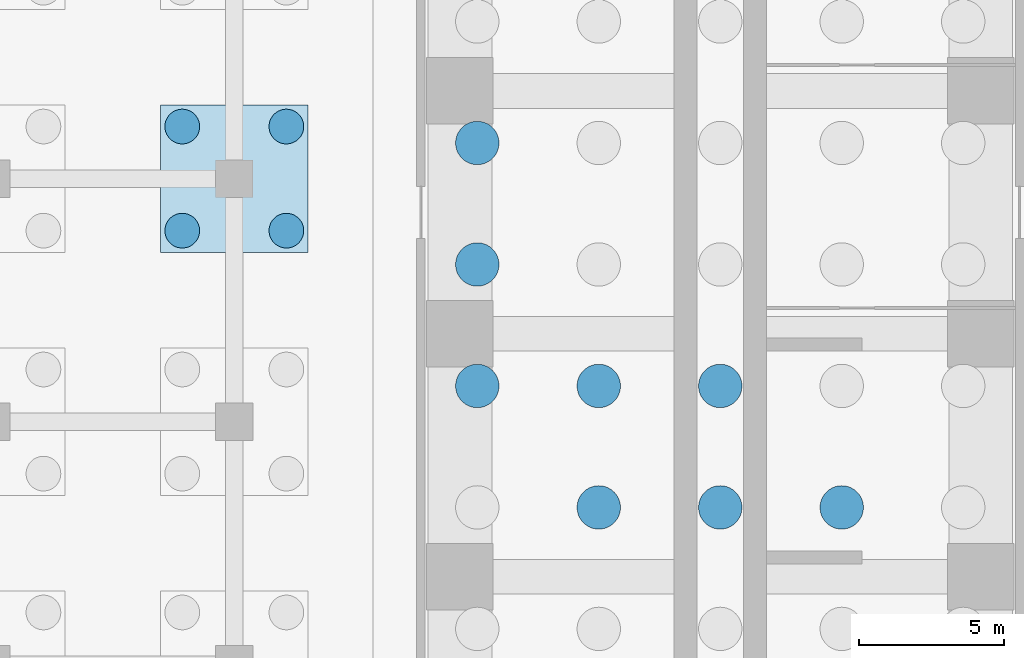
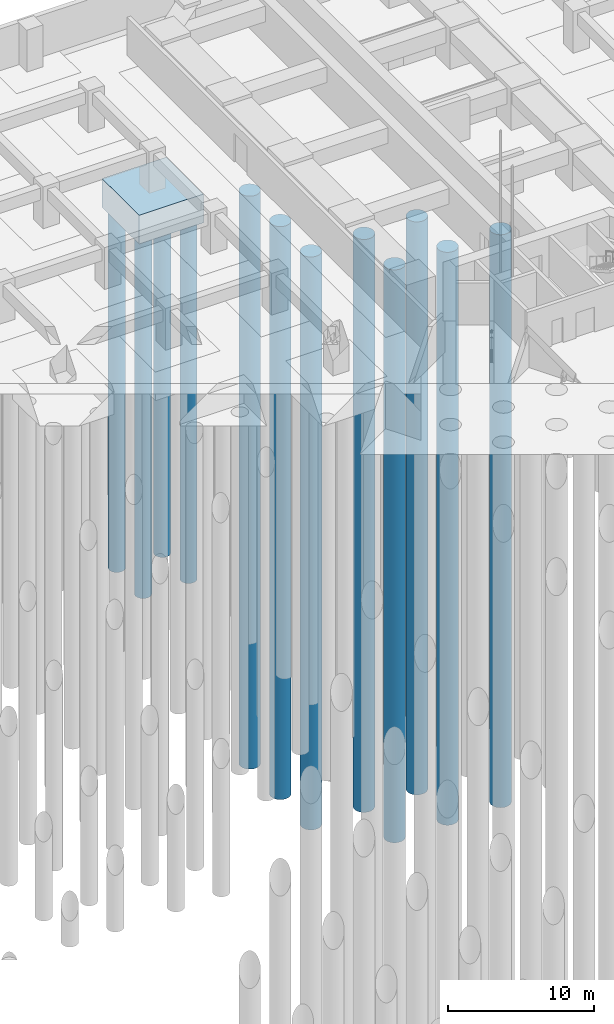
# One storey, part 37 of 73: 12 piles, 1 footing.
"""IFC4 building model written with IfcOpenShell, lengths in metres."""

import ifcopenshell
import ifcopenshell.guid

model = None  # the IFC model being written
_history = None  # IfcOwnerHistory: only IFC2X3 demands one
_inside = {}  # id of a spatial element -> (the spatial element, [elements in it])
_under = {}  # id of a project, library or spatial element -> (it, [spatial elements below it])
_declared = {}  # id of a project -> (the project, [libraries it declares])
_typed = {}  # id of a type object -> (the type object, [elements of that type])
_made_of = {}  # id of a material, layer set ... -> (it, [elements and type objects made of it])


def new_model(schema):
    """Start an empty IFC model of exactly this schema.

    Asked for "IFC4X3", IfcOpenShell would pick the latest addendum, in which some entities
    have other attributes; the version numbers below select the first issue.
    IFC2X3 requires an IfcOwnerHistory on every rooted entity: one is made here for all.
    """
    global model, _history
    if schema == "IFC4X3":
        model = ifcopenshell.file(schema_version=(4, 3, 0, 0))
    else:
        model = ifcopenshell.file(schema=schema)
    _inside.clear()
    _under.clear()
    _declared.clear()
    _typed.clear()
    _made_of.clear()
    _history = None
    if model.schema == "IFC2X3":
        org = make("IfcOrganization", Name="unknown")
        user = make(
            "IfcPersonAndOrganization",
            ThePerson=make("IfcPerson", FamilyName="unknown"),
            TheOrganization=org,
        )
        app = make(
            "IfcApplication",
            ApplicationDeveloper=org,
            Version="unknown",
            ApplicationFullName="unknown",
            ApplicationIdentifier="unknown",
        )
        _history = make(
            "IfcOwnerHistory",
            OwningUser=user,
            OwningApplication=app,
            ChangeAction="ADDED",
            CreationDate=0,
        )
    return model


def make(cls, **values):
    """One entity of the class cls with the attributes given. An attribute that is None is left unset."""
    return model.create_entity(
        cls, **{name: value for name, value in values.items() if value is not None}
    )


def rooted(cls, **values):
    """An entity with a GlobalId (a new one), such as an element, a storey or a relation."""
    return make(cls, GlobalId=ifcopenshell.guid.new(), OwnerHistory=_history, **values)


def si_unit(unit_type, name, prefix=None):
    """IfcSIUnit, for example si_unit("LENGTHUNIT", "METRE", prefix="MILLI")."""
    return make("IfcSIUnit", UnitType=unit_type, Prefix=prefix, Name=name)


def assignment(units):
    """IfcUnitAssignment: the units of a project."""
    return None if units is None else make("IfcUnitAssignment", Units=units)


def point(xyz):
    """IfcCartesianPoint."""
    return None if xyz is None else make("IfcCartesianPoint", Coordinates=xyz)


def direction(xyz):
    """IfcDirection."""
    return None if xyz is None else make("IfcDirection", DirectionRatios=xyz)


def frame(location, z_axis=None, x_axis=None):
    """IfcAxis2Placement3D, a coordinate frame: its origin and axes. An axis left out is left unset."""
    return make(
        "IfcAxis2Placement3D",
        Location=point(location),
        Axis=direction(z_axis),
        RefDirection=direction(x_axis),
    )


def frame_2d(location, x_axis=None):
    """IfcAxis2Placement2D, a coordinate frame in the plane: its origin and x axis."""
    return make(
        "IfcAxis2Placement2D", Location=point(location), RefDirection=direction(x_axis)
    )


def origin():
    """The frame at (0, 0, 0) with its axes left unset."""
    return frame((0.0, 0.0, 0.0))


def origin_2d():
    """The frame at (0, 0) in the plane with its x axis left unset."""
    return frame_2d((0.0, 0.0))


def place(relative_to, where):
    """IfcLocalPlacement: puts the frame where relative to a parent placement (None: the world)."""
    return make(
        "IfcLocalPlacement", PlacementRelTo=relative_to, RelativePlacement=where
    )


def context(
    kind, dimensions, precision=None, world=None, true_north=None, identifier=None
):
    """IfcGeometricRepresentationContext, for example the 3D "Model" context."""
    return make(
        "IfcGeometricRepresentationContext",
        ContextIdentifier=identifier,
        ContextType=kind,
        CoordinateSpaceDimension=dimensions,
        Precision=precision,
        WorldCoordinateSystem=world,
        TrueNorth=true_north,
    )


def subcontext(parent, identifier, kind, view, scale=None):
    """IfcGeometricRepresentationSubContext, for example "Body" below "Model"."""
    return make(
        "IfcGeometricRepresentationSubContext",
        ContextIdentifier=identifier,
        ContextType=kind,
        ParentContext=parent,
        TargetScale=scale,
        TargetView=view,
    )


def project(units=None, contexts=None):
    """IfcProject with its units and contexts."""
    return rooted(
        "IfcProject",
        Name="project",
        RepresentationContexts=contexts,
        UnitsInContext=assignment(units),
    )


def spatial(cls, under=None, at=None, **own):
    """A site, building, storey or space (cls), placed at a placement, below another one or the project."""
    s = rooted(cls, ObjectPlacement=at, **own)
    if under is not None:
        _under.setdefault(under.id(), (under, []))[1].append(s)
    return s


def polyline(points):
    """IfcPolyline through the points."""
    return make("IfcPolyline", Points=[point(p) for p in points])


def profile(cls, at=None, kind="AREA", **sizes):
    """A parametric profile (cls). Its sizes go by their IFC names, for example OverallWidth=200.0."""
    return make(cls, ProfileType=kind, Position=at, **sizes)


def circle(**sizes):
    """IfcCircleProfileDef."""
    return profile("IfcCircleProfileDef", **sizes)


def outline(outer, holes=None, kind="AREA"):
    """IfcArbitraryClosedProfileDef: a profile drawn as a closed curve; with holes, ...WithVoids."""
    if holes is None:
        return make("IfcArbitraryClosedProfileDef", ProfileType=kind, OuterCurve=outer)
    return make(
        "IfcArbitraryProfileDefWithVoids",
        ProfileType=kind,
        OuterCurve=outer,
        InnerCurves=holes,
    )


def extrude(swept, where, along, depth):
    """IfcExtrudedAreaSolid: the profile swept, set in the frame where, extruded along a direction by depth."""
    return make(
        "IfcExtrudedAreaSolid",
        SweptArea=swept,
        Position=where,
        ExtrudedDirection=direction(along),
        Depth=depth,
    )


def shape(context_of_items, identifier, shape_type, items):
    """IfcShapeRepresentation: the items that make up one representation, for example the "Body"."""
    return make(
        "IfcShapeRepresentation",
        ContextOfItems=context_of_items,
        RepresentationIdentifier=identifier,
        RepresentationType=shape_type,
        Items=items,
    )


def material(Name=None, Category=None):
    """IfcMaterial."""
    return make("IfcMaterial", Name=Name, Category=Category)


def material_profile(
    of_material, cross_section, Name=None, Category=None, Priority=None
):
    """IfcMaterialProfile: a cross section and its material."""
    return make(
        "IfcMaterialProfile",
        Name=Name,
        Material=of_material,
        Profile=cross_section,
        Priority=Priority,
        Category=Category,
    )


def profile_set(profiles, Name=None, composite=None):
    """IfcMaterialProfileSet."""
    return make(
        "IfcMaterialProfileSet",
        Name=Name,
        MaterialProfiles=profiles,
        CompositeProfile=composite,
    )


def made_of(thing, what):
    """Note that an element or type object is made of a material, layer set ...; save() writes the relation."""
    if what is not None:
        _made_of.setdefault(what.id(), (what, []))[1].append(thing)
    return thing


def type_object(cls, material=None, **own):
    """A type object (cls), such as IfcWallType, which elements share."""
    return made_of(rooted(cls, **own), material)


def element(
    cls,
    number,
    at=None,
    inside=None,
    cuts=None,
    type_object=None,
    material=None,
    context=None,
    identifier="Body",
    shape_type=None,
    held_by="IfcProductDefinitionShape",
    body=None,
    shapes=None,
    **own,
):
    """One element of the class cls, such as IfcWall. Its Tag is "e" and its number.

    at: its placement. inside: the storey or other place that contains it. cuts: it is an
    opening in that element (IfcRelVoidsElement). A single representation is given by context,
    identifier, shape_type and body (its items); several are given by shapes. held_by: the class
    of the entity that holds the representations. save() writes the other relations.
    """
    e = rooted(cls, Tag="e%d" % number, ObjectPlacement=at, **own)
    if body is not None:
        shapes = [shape(context, identifier, shape_type, body)]
    if shapes is not None:
        e.Representation = make(held_by, Representations=shapes)
    if inside is not None:
        _inside.setdefault(inside.id(), (inside, []))[1].append(e)
    if cuts is not None:
        rooted(
            "IfcRelVoidsElement", RelatingBuildingElement=cuts, RelatedOpeningElement=e
        )
    if type_object is not None:
        _typed.setdefault(type_object.id(), (type_object, []))[1].append(e)
    return made_of(e, material)


def aggregate(whole, parts):
    """IfcRelAggregates: a whole, such as a stair, and the parts it consists of."""
    return rooted("IfcRelAggregates", RelatingObject=whole, RelatedObjects=parts)


def save(model, path):
    """Write the relations noted so far, then the file.

    IfcRelAggregates (storeys below a building ...), IfcRelContainedInSpatialStructure (elements
    in a storey), IfcRelDefinesByType, IfcRelAssociatesMaterial and IfcRelDeclares: one each for
    every whole, place, type object, material and project.
    """
    for whole, parts in _under.values():
        aggregate(whole, parts)
    for where, things in _inside.values():
        rooted(
            "IfcRelContainedInSpatialStructure",
            RelatedElements=things,
            RelatingStructure=where,
        )
    for kind, things in _typed.values():
        rooted("IfcRelDefinesByType", RelatedObjects=things, RelatingType=kind)
    for what, things in _made_of.values():
        rooted("IfcRelAssociatesMaterial", RelatedObjects=things, RelatingMaterial=what)
    for by, libraries in _declared.values():
        rooted("IfcRelDeclares", RelatingContext=by, RelatedDefinitions=libraries)
    model.write(path)


model = new_model("IFC4")

# Units and contexts
model_context = context("Model", 3, precision=1e-05, world=origin(), true_north=direction((0.0, 1.0)))
body_context = subcontext(model_context, "Body", "Model", "MODEL_VIEW")
ifc_project = project(units=[si_unit("LENGTHUNIT", "METRE"), si_unit("AREAUNIT", "SQUARE_METRE"), si_unit("VOLUMEUNIT", "CUBIC_METRE"), si_unit("PLANEANGLEUNIT", "RADIAN"), si_unit("MASSUNIT", "GRAM", prefix="KILO")], contexts=[model_context])

# Site, building, storey
site_placement = place(None, origin())
site = spatial("IfcSite", under=ifc_project, at=site_placement, CompositionType="ELEMENT")
building_placement = place(site_placement, origin())
building = spatial("IfcBuilding", under=site, at=building_placement, Name="Impinga Residences", CompositionType="ELEMENT")
storey_placement = place(building_placement, frame((0.0, 0.0, -10.5)))
storey = spatial("IfcBuildingStorey", under=building, at=storey_placement, Name="B3", CompositionType="ELEMENT", Elevation=-10.5)

# Piles
ifc_material_1 = material(Name="Concrete C35/45", Category="concrete")
ifc_material_profile_1 = material_profile(ifc_material_1, circle(Radius=0.75, at=origin_2d()), Name="D1500")
ifc_profile_set_1 = profile_set([ifc_material_profile_1], Name="Concrete C35/45")
pile_type_1 = type_object("IfcPileType", Name="BP1 bored pile D1500", PredefinedType="BORED", material=ifc_profile_set_1)
pile_1_placement = place(storey_placement, frame((-4.199951171875, 22.2314453125, -4.0), z_axis=(0.0, 0.0, -1.0), x_axis=(1.0, 0.0, 0.0)))
element("IfcPile", 1, at=pile_1_placement, inside=storey, type_object=pile_type_1, Name="Raft pile BP1-120", PredefinedType="BORED", context=body_context, shape_type="SweptSolid", body=[
    extrude(outline(polyline([(0.75, 0.0), (0.746337890625, 0.073486328125), (0.735595703125, 0.146240234375), (0.7177734375, 0.2177734375), (0.69287109375, 0.287109375), (0.661376953125, 0.353515625), (0.62353515625, 0.416748046875), (0.579833984375, 0.475830078125), (0.5302734375, 0.5302734375), (0.475830078125, 0.579833984375), (0.416748046875, 0.62353515625), (0.353515625, 0.661376953125), (0.287109375, 0.69287109375), (0.2177734375, 0.7177734375), (0.146240234375, 0.735595703125), (0.073486328125, 0.746337890625), (0.0, 0.75), (-0.073486328125, 0.746337890625), (-0.146240234375, 0.735595703125), (-0.2177734375, 0.7177734375), (-0.287109375, 0.69287109375), (-0.353515625, 0.661376953125), (-0.416748046875, 0.62353515625), (-0.475830078125, 0.579833984375), (-0.5302734375, 0.5302734375), (-0.579833984375, 0.475830078125), (-0.62353515625, 0.416748046875), (-0.661376953125, 0.353515625), (-0.69287109375, 0.287109375), (-0.7177734375, 0.2177734375), (-0.735595703125, 0.146240234375), (-0.746337890625, 0.073486328125), (-0.75, 0.0), (-0.746337890625, -0.073486328125), (-0.735595703125, -0.146240234375), (-0.7177734375, -0.2177734375), (-0.69287109375, -0.287109375), (-0.661376953125, -0.353515625), (-0.62353515625, -0.416748046875), (-0.579833984375, -0.475830078125), (-0.5302734375, -0.5302734375), (-0.475830078125, -0.579833984375), (-0.416748046875, -0.62353515625), (-0.353515625, -0.661376953125), (-0.287109375, -0.69287109375), (-0.2177734375, -0.7177734375), (-0.146240234375, -0.735595703125), (-0.073486328125, -0.746337890625), (0.0, -0.75), (0.073486328125, -0.746337890625), (0.146240234375, -0.735595703125), (0.2177734375, -0.7177734375), (0.287109375, -0.69287109375), (0.353515625, -0.661376953125), (0.416748046875, -0.62353515625), (0.475830078125, -0.579833984375), (0.5302734375, -0.5302734375), (0.579833984375, -0.475830078125), (0.62353515625, -0.416748046875), (0.661376953125, -0.353515625), (0.69287109375, -0.287109375), (0.7177734375, -0.2177734375), (0.735595703125, -0.146240234375), (0.746337890625, -0.073486328125), (0.75, 0.0)])), origin(), (0.0, 0.0, 1.0), 48.0),
])
pile_2_placement = place(storey_placement, frame((0.0, 22.2314453125, -4.0), z_axis=(0.0, 0.0, -1.0), x_axis=(1.0, 0.0, 0.0)))
element("IfcPile", 2, at=pile_2_placement, inside=storey, type_object=pile_type_1, Name="Raft pile BP1-121", PredefinedType="BORED", context=body_context, shape_type="SweptSolid", body=[
    extrude(outline(polyline([(0.75, 0.0), (0.746337890625, 0.073486328125), (0.735595703125, 0.146240234375), (0.7177734375, 0.2177734375), (0.69287109375, 0.287109375), (0.661376953125, 0.353515625), (0.62353515625, 0.416748046875), (0.579833984375, 0.475830078125), (0.5302734375, 0.5302734375), (0.475830078125, 0.579833984375), (0.416748046875, 0.62353515625), (0.353515625, 0.661376953125), (0.287109375, 0.69287109375), (0.2177734375, 0.7177734375), (0.146240234375, 0.735595703125), (0.073486328125, 0.746337890625), (0.0, 0.75), (-0.073486328125, 0.746337890625), (-0.146240234375, 0.735595703125), (-0.2177734375, 0.7177734375), (-0.287109375, 0.69287109375), (-0.353515625, 0.661376953125), (-0.416748046875, 0.62353515625), (-0.475830078125, 0.579833984375), (-0.5302734375, 0.5302734375), (-0.579833984375, 0.475830078125), (-0.62353515625, 0.416748046875), (-0.661376953125, 0.353515625), (-0.69287109375, 0.287109375), (-0.7177734375, 0.2177734375), (-0.735595703125, 0.146240234375), (-0.746337890625, 0.073486328125), (-0.75, 0.0), (-0.746337890625, -0.073486328125), (-0.735595703125, -0.146240234375), (-0.7177734375, -0.2177734375), (-0.69287109375, -0.287109375), (-0.661376953125, -0.353515625), (-0.62353515625, -0.416748046875), (-0.579833984375, -0.475830078125), (-0.5302734375, -0.5302734375), (-0.475830078125, -0.579833984375), (-0.416748046875, -0.62353515625), (-0.353515625, -0.661376953125), (-0.287109375, -0.69287109375), (-0.2177734375, -0.7177734375), (-0.146240234375, -0.735595703125), (-0.073486328125, -0.746337890625), (0.0, -0.75), (0.073486328125, -0.746337890625), (0.146240234375, -0.735595703125), (0.2177734375, -0.7177734375), (0.287109375, -0.69287109375), (0.353515625, -0.661376953125), (0.416748046875, -0.62353515625), (0.475830078125, -0.579833984375), (0.5302734375, -0.5302734375), (0.579833984375, -0.475830078125), (0.62353515625, -0.416748046875), (0.661376953125, -0.353515625), (0.69287109375, -0.287109375), (0.7177734375, -0.2177734375), (0.735595703125, -0.146240234375), (0.746337890625, -0.073486328125), (0.75, 0.0)])), origin(), (0.0, 0.0, 1.0), 48.0),
])
pile_3_placement = place(storey_placement, frame((4.199951171875, 22.2314453125, -4.0), z_axis=(0.0, 0.0, -1.0), x_axis=(1.0, 0.0, 0.0)))
element("IfcPile", 3, at=pile_3_placement, inside=storey, type_object=pile_type_1, Name="Raft pile BP1-122", PredefinedType="BORED", context=body_context, shape_type="SweptSolid", body=[
    extrude(outline(polyline([(0.75, 0.0), (0.746337890625, 0.073486328125), (0.735595703125, 0.146240234375), (0.7177734375, 0.2177734375), (0.69287109375, 0.287109375), (0.661376953125, 0.353515625), (0.62353515625, 0.416748046875), (0.579833984375, 0.475830078125), (0.5302734375, 0.5302734375), (0.475830078125, 0.579833984375), (0.416748046875, 0.62353515625), (0.353515625, 0.661376953125), (0.287109375, 0.69287109375), (0.2177734375, 0.7177734375), (0.146240234375, 0.735595703125), (0.073486328125, 0.746337890625), (0.0, 0.75), (-0.073486328125, 0.746337890625), (-0.146240234375, 0.735595703125), (-0.2177734375, 0.7177734375), (-0.287109375, 0.69287109375), (-0.353515625, 0.661376953125), (-0.416748046875, 0.62353515625), (-0.475830078125, 0.579833984375), (-0.5302734375, 0.5302734375), (-0.579833984375, 0.475830078125), (-0.62353515625, 0.416748046875), (-0.661376953125, 0.353515625), (-0.69287109375, 0.287109375), (-0.7177734375, 0.2177734375), (-0.735595703125, 0.146240234375), (-0.746337890625, 0.073486328125), (-0.75, 0.0), (-0.746337890625, -0.073486328125), (-0.735595703125, -0.146240234375), (-0.7177734375, -0.2177734375), (-0.69287109375, -0.287109375), (-0.661376953125, -0.353515625), (-0.62353515625, -0.416748046875), (-0.579833984375, -0.475830078125), (-0.5302734375, -0.5302734375), (-0.475830078125, -0.579833984375), (-0.416748046875, -0.62353515625), (-0.353515625, -0.661376953125), (-0.287109375, -0.69287109375), (-0.2177734375, -0.7177734375), (-0.146240234375, -0.735595703125), (-0.073486328125, -0.746337890625), (0.0, -0.75), (0.073486328125, -0.746337890625), (0.146240234375, -0.735595703125), (0.2177734375, -0.7177734375), (0.287109375, -0.69287109375), (0.353515625, -0.661376953125), (0.416748046875, -0.62353515625), (0.475830078125, -0.579833984375), (0.5302734375, -0.5302734375), (0.579833984375, -0.475830078125), (0.62353515625, -0.416748046875), (0.661376953125, -0.353515625), (0.69287109375, -0.287109375), (0.7177734375, -0.2177734375), (0.735595703125, -0.146240234375), (0.746337890625, -0.073486328125), (0.75, 0.0)])), origin(), (0.0, 0.0, 1.0), 48.0),
])
pile_4_placement = place(storey_placement, frame((-8.39990234375, 26.431640625, -4.0), z_axis=(0.0, 0.0, -1.0), x_axis=(1.0, 0.0, 0.0)))
element("IfcPile", 4, at=pile_4_placement, inside=storey, type_object=pile_type_1, Name="Raft pile BP1-124", PredefinedType="BORED", context=body_context, shape_type="SweptSolid", body=[
    extrude(outline(polyline([(0.75, 0.0), (0.746337890625, 0.073486328125), (0.735595703125, 0.146240234375), (0.7177734375, 0.2177734375), (0.69287109375, 0.287109375), (0.661376953125, 0.353515625), (0.62353515625, 0.416748046875), (0.579833984375, 0.475830078125), (0.5302734375, 0.5302734375), (0.475830078125, 0.579833984375), (0.416748046875, 0.62353515625), (0.353515625, 0.661376953125), (0.287109375, 0.69287109375), (0.2177734375, 0.7177734375), (0.146240234375, 0.735595703125), (0.073486328125, 0.746337890625), (0.0, 0.75), (-0.073486328125, 0.746337890625), (-0.146240234375, 0.735595703125), (-0.2177734375, 0.7177734375), (-0.287109375, 0.69287109375), (-0.353515625, 0.661376953125), (-0.416748046875, 0.62353515625), (-0.475830078125, 0.579833984375), (-0.5302734375, 0.5302734375), (-0.579833984375, 0.475830078125), (-0.62353515625, 0.416748046875), (-0.661376953125, 0.353515625), (-0.69287109375, 0.287109375), (-0.7177734375, 0.2177734375), (-0.735595703125, 0.146240234375), (-0.746337890625, 0.073486328125), (-0.75, 0.0), (-0.746337890625, -0.073486328125), (-0.735595703125, -0.146240234375), (-0.7177734375, -0.2177734375), (-0.69287109375, -0.287109375), (-0.661376953125, -0.353515625), (-0.62353515625, -0.416748046875), (-0.579833984375, -0.475830078125), (-0.5302734375, -0.5302734375), (-0.475830078125, -0.579833984375), (-0.416748046875, -0.62353515625), (-0.353515625, -0.661376953125), (-0.287109375, -0.69287109375), (-0.2177734375, -0.7177734375), (-0.146240234375, -0.735595703125), (-0.073486328125, -0.746337890625), (0.0, -0.75), (0.073486328125, -0.746337890625), (0.146240234375, -0.735595703125), (0.2177734375, -0.7177734375), (0.287109375, -0.69287109375), (0.353515625, -0.661376953125), (0.416748046875, -0.62353515625), (0.475830078125, -0.579833984375), (0.5302734375, -0.5302734375), (0.579833984375, -0.475830078125), (0.62353515625, -0.416748046875), (0.661376953125, -0.353515625), (0.69287109375, -0.287109375), (0.7177734375, -0.2177734375), (0.735595703125, -0.146240234375), (0.746337890625, -0.073486328125), (0.75, 0.0)])), origin(), (0.0, 0.0, 1.0), 48.0),
])
pile_5_placement = place(storey_placement, frame((-4.199951171875, 26.431640625, -4.0), z_axis=(0.0, 0.0, -1.0), x_axis=(1.0, 0.0, 0.0)))
element("IfcPile", 5, at=pile_5_placement, inside=storey, type_object=pile_type_1, Name="Raft pile BP1-125", PredefinedType="BORED", context=body_context, shape_type="SweptSolid", body=[
    extrude(outline(polyline([(0.75, 0.0), (0.746337890625, 0.073486328125), (0.735595703125, 0.146240234375), (0.7177734375, 0.2177734375), (0.69287109375, 0.287109375), (0.661376953125, 0.353515625), (0.62353515625, 0.416748046875), (0.579833984375, 0.475830078125), (0.5302734375, 0.5302734375), (0.475830078125, 0.579833984375), (0.416748046875, 0.62353515625), (0.353515625, 0.661376953125), (0.287109375, 0.69287109375), (0.2177734375, 0.7177734375), (0.146240234375, 0.735595703125), (0.073486328125, 0.746337890625), (0.0, 0.75), (-0.073486328125, 0.746337890625), (-0.146240234375, 0.735595703125), (-0.2177734375, 0.7177734375), (-0.287109375, 0.69287109375), (-0.353515625, 0.661376953125), (-0.416748046875, 0.62353515625), (-0.475830078125, 0.579833984375), (-0.5302734375, 0.5302734375), (-0.579833984375, 0.475830078125), (-0.62353515625, 0.416748046875), (-0.661376953125, 0.353515625), (-0.69287109375, 0.287109375), (-0.7177734375, 0.2177734375), (-0.735595703125, 0.146240234375), (-0.746337890625, 0.073486328125), (-0.75, 0.0), (-0.746337890625, -0.073486328125), (-0.735595703125, -0.146240234375), (-0.7177734375, -0.2177734375), (-0.69287109375, -0.287109375), (-0.661376953125, -0.353515625), (-0.62353515625, -0.416748046875), (-0.579833984375, -0.475830078125), (-0.5302734375, -0.5302734375), (-0.475830078125, -0.579833984375), (-0.416748046875, -0.62353515625), (-0.353515625, -0.661376953125), (-0.287109375, -0.69287109375), (-0.2177734375, -0.7177734375), (-0.146240234375, -0.735595703125), (-0.073486328125, -0.746337890625), (0.0, -0.75), (0.073486328125, -0.746337890625), (0.146240234375, -0.735595703125), (0.2177734375, -0.7177734375), (0.287109375, -0.69287109375), (0.353515625, -0.661376953125), (0.416748046875, -0.62353515625), (0.475830078125, -0.579833984375), (0.5302734375, -0.5302734375), (0.579833984375, -0.475830078125), (0.62353515625, -0.416748046875), (0.661376953125, -0.353515625), (0.69287109375, -0.287109375), (0.7177734375, -0.2177734375), (0.735595703125, -0.146240234375), (0.746337890625, -0.073486328125), (0.75, 0.0)])), origin(), (0.0, 0.0, 1.0), 48.0),
])
pile_6_placement = place(storey_placement, frame((0.0, 26.431640625, -4.0), z_axis=(0.0, 0.0, -1.0), x_axis=(1.0, 0.0, 0.0)))
element("IfcPile", 6, at=pile_6_placement, inside=storey, type_object=pile_type_1, Name="Raft pile BP1-126", PredefinedType="BORED", context=body_context, shape_type="SweptSolid", body=[
    extrude(outline(polyline([(0.75, 0.0), (0.746337890625, 0.073486328125), (0.735595703125, 0.146240234375), (0.7177734375, 0.2177734375), (0.69287109375, 0.287109375), (0.661376953125, 0.353515625), (0.62353515625, 0.416748046875), (0.579833984375, 0.475830078125), (0.5302734375, 0.5302734375), (0.475830078125, 0.579833984375), (0.416748046875, 0.62353515625), (0.353515625, 0.661376953125), (0.287109375, 0.69287109375), (0.2177734375, 0.7177734375), (0.146240234375, 0.735595703125), (0.073486328125, 0.746337890625), (0.0, 0.75), (-0.073486328125, 0.746337890625), (-0.146240234375, 0.735595703125), (-0.2177734375, 0.7177734375), (-0.287109375, 0.69287109375), (-0.353515625, 0.661376953125), (-0.416748046875, 0.62353515625), (-0.475830078125, 0.579833984375), (-0.5302734375, 0.5302734375), (-0.579833984375, 0.475830078125), (-0.62353515625, 0.416748046875), (-0.661376953125, 0.353515625), (-0.69287109375, 0.287109375), (-0.7177734375, 0.2177734375), (-0.735595703125, 0.146240234375), (-0.746337890625, 0.073486328125), (-0.75, 0.0), (-0.746337890625, -0.073486328125), (-0.735595703125, -0.146240234375), (-0.7177734375, -0.2177734375), (-0.69287109375, -0.287109375), (-0.661376953125, -0.353515625), (-0.62353515625, -0.416748046875), (-0.579833984375, -0.475830078125), (-0.5302734375, -0.5302734375), (-0.475830078125, -0.579833984375), (-0.416748046875, -0.62353515625), (-0.353515625, -0.661376953125), (-0.287109375, -0.69287109375), (-0.2177734375, -0.7177734375), (-0.146240234375, -0.735595703125), (-0.073486328125, -0.746337890625), (0.0, -0.75), (0.073486328125, -0.746337890625), (0.146240234375, -0.735595703125), (0.2177734375, -0.7177734375), (0.287109375, -0.69287109375), (0.353515625, -0.661376953125), (0.416748046875, -0.62353515625), (0.475830078125, -0.579833984375), (0.5302734375, -0.5302734375), (0.579833984375, -0.475830078125), (0.62353515625, -0.416748046875), (0.661376953125, -0.353515625), (0.69287109375, -0.287109375), (0.7177734375, -0.2177734375), (0.735595703125, -0.146240234375), (0.746337890625, -0.073486328125), (0.75, 0.0)])), origin(), (0.0, 0.0, 1.0), 48.0),
])
pile_7_placement = place(storey_placement, frame((-8.39990234375, 30.631591796875, -4.0), z_axis=(0.0, 0.0, -1.0), x_axis=(1.0, 0.0, 0.0)))
element("IfcPile", 7, at=pile_7_placement, inside=storey, type_object=pile_type_1, Name="Raft pile BP1-129", PredefinedType="BORED", context=body_context, shape_type="SweptSolid", body=[
    extrude(outline(polyline([(0.75, 0.0), (0.746337890625, 0.073486328125), (0.735595703125, 0.146240234375), (0.7177734375, 0.2177734375), (0.69287109375, 0.287109375), (0.661376953125, 0.353515625), (0.62353515625, 0.416748046875), (0.579833984375, 0.475830078125), (0.5302734375, 0.5302734375), (0.475830078125, 0.579833984375), (0.416748046875, 0.62353515625), (0.353515625, 0.661376953125), (0.287109375, 0.69287109375), (0.2177734375, 0.7177734375), (0.146240234375, 0.735595703125), (0.073486328125, 0.746337890625), (0.0, 0.75), (-0.073486328125, 0.746337890625), (-0.146240234375, 0.735595703125), (-0.2177734375, 0.7177734375), (-0.287109375, 0.69287109375), (-0.353515625, 0.661376953125), (-0.416748046875, 0.62353515625), (-0.475830078125, 0.579833984375), (-0.5302734375, 0.5302734375), (-0.579833984375, 0.475830078125), (-0.62353515625, 0.416748046875), (-0.661376953125, 0.353515625), (-0.69287109375, 0.287109375), (-0.7177734375, 0.2177734375), (-0.735595703125, 0.146240234375), (-0.746337890625, 0.073486328125), (-0.75, 0.0), (-0.746337890625, -0.073486328125), (-0.735595703125, -0.146240234375), (-0.7177734375, -0.2177734375), (-0.69287109375, -0.287109375), (-0.661376953125, -0.353515625), (-0.62353515625, -0.416748046875), (-0.579833984375, -0.475830078125), (-0.5302734375, -0.5302734375), (-0.475830078125, -0.579833984375), (-0.416748046875, -0.62353515625), (-0.353515625, -0.661376953125), (-0.287109375, -0.69287109375), (-0.2177734375, -0.7177734375), (-0.146240234375, -0.735595703125), (-0.073486328125, -0.746337890625), (0.0, -0.75), (0.073486328125, -0.746337890625), (0.146240234375, -0.735595703125), (0.2177734375, -0.7177734375), (0.287109375, -0.69287109375), (0.353515625, -0.661376953125), (0.416748046875, -0.62353515625), (0.475830078125, -0.579833984375), (0.5302734375, -0.5302734375), (0.579833984375, -0.475830078125), (0.62353515625, -0.416748046875), (0.661376953125, -0.353515625), (0.69287109375, -0.287109375), (0.7177734375, -0.2177734375), (0.735595703125, -0.146240234375), (0.746337890625, -0.073486328125), (0.75, 0.0)])), origin(), (0.0, 0.0, 1.0), 48.0),
])
pile_8_placement = place(storey_placement, frame((-8.39990234375, 34.83154296875, -4.0), z_axis=(0.0, 0.0, -1.0), x_axis=(1.0, 0.0, 0.0)))
element("IfcPile", 8, at=pile_8_placement, inside=storey, type_object=pile_type_1, Name="Raft pile BP1-134", PredefinedType="BORED", context=body_context, shape_type="SweptSolid", body=[
    extrude(outline(polyline([(0.75, 0.0), (0.746337890625, 0.073486328125), (0.735595703125, 0.146240234375), (0.7177734375, 0.2177734375), (0.69287109375, 0.287109375), (0.661376953125, 0.353515625), (0.62353515625, 0.416748046875), (0.579833984375, 0.475830078125), (0.5302734375, 0.5302734375), (0.475830078125, 0.579833984375), (0.416748046875, 0.62353515625), (0.353515625, 0.661376953125), (0.287109375, 0.69287109375), (0.2177734375, 0.7177734375), (0.146240234375, 0.735595703125), (0.073486328125, 0.746337890625), (0.0, 0.75), (-0.073486328125, 0.746337890625), (-0.146240234375, 0.735595703125), (-0.2177734375, 0.7177734375), (-0.287109375, 0.69287109375), (-0.353515625, 0.661376953125), (-0.416748046875, 0.62353515625), (-0.475830078125, 0.579833984375), (-0.5302734375, 0.5302734375), (-0.579833984375, 0.475830078125), (-0.62353515625, 0.416748046875), (-0.661376953125, 0.353515625), (-0.69287109375, 0.287109375), (-0.7177734375, 0.2177734375), (-0.735595703125, 0.146240234375), (-0.746337890625, 0.073486328125), (-0.75, 0.0), (-0.746337890625, -0.073486328125), (-0.735595703125, -0.146240234375), (-0.7177734375, -0.2177734375), (-0.69287109375, -0.287109375), (-0.661376953125, -0.353515625), (-0.62353515625, -0.416748046875), (-0.579833984375, -0.475830078125), (-0.5302734375, -0.5302734375), (-0.475830078125, -0.579833984375), (-0.416748046875, -0.62353515625), (-0.353515625, -0.661376953125), (-0.287109375, -0.69287109375), (-0.2177734375, -0.7177734375), (-0.146240234375, -0.735595703125), (-0.073486328125, -0.746337890625), (0.0, -0.75), (0.073486328125, -0.746337890625), (0.146240234375, -0.735595703125), (0.2177734375, -0.7177734375), (0.287109375, -0.69287109375), (0.353515625, -0.661376953125), (0.416748046875, -0.62353515625), (0.475830078125, -0.579833984375), (0.5302734375, -0.5302734375), (0.579833984375, -0.475830078125), (0.62353515625, -0.416748046875), (0.661376953125, -0.353515625), (0.69287109375, -0.287109375), (0.7177734375, -0.2177734375), (0.735595703125, -0.146240234375), (0.746337890625, -0.073486328125), (0.75, 0.0)])), origin(), (0.0, 0.0, 1.0), 48.0),
])
ifc_material_profile_2 = material_profile(ifc_material_1, circle(Radius=0.60009765625, at=origin_2d()), Name="D1200")
ifc_profile_set_2 = profile_set([ifc_material_profile_2], Name="Concrete C35/45")
pile_type_2 = type_object("IfcPileType", Name="BP2 bored pile D1200", PredefinedType="BORED", material=ifc_profile_set_2)
pile_9_placement = place(storey_placement, frame((-18.60009765625, 31.800048828125, -2.39990234375), z_axis=(0.0, 0.0, -1.0), x_axis=(1.0, 0.0, 0.0)))
element("IfcPile", 9, at=pile_9_placement, inside=storey, type_object=pile_type_2, Name="Cap pile BP2 5/K-1", PredefinedType="BORED", context=body_context, shape_type="SweptSolid", body=[
    extrude(outline(polyline([(0.60009765625, 0.0), (0.59716796875, 0.058837890625), (0.58837890625, 0.116943359375), (0.57421875, 0.174072265625), (0.554443359375, 0.2294921875), (0.529052734375, 0.282958984375), (0.498779296875, 0.333251953125), (0.4638671875, 0.380615234375), (0.42431640625, 0.42431640625), (0.380615234375, 0.4638671875), (0.333251953125, 0.498779296875), (0.282958984375, 0.529052734375), (0.2294921875, 0.554443359375), (0.174072265625, 0.57421875), (0.116943359375, 0.58837890625), (0.058837890625, 0.59716796875), (0.0, 0.60009765625), (-0.058837890625, 0.59716796875), (-0.116943359375, 0.58837890625), (-0.174072265625, 0.57421875), (-0.2294921875, 0.554443359375), (-0.282958984375, 0.529052734375), (-0.333251953125, 0.498779296875), (-0.380615234375, 0.4638671875), (-0.42431640625, 0.42431640625), (-0.4638671875, 0.380615234375), (-0.498779296875, 0.333251953125), (-0.529052734375, 0.282958984375), (-0.554443359375, 0.2294921875), (-0.57421875, 0.174072265625), (-0.58837890625, 0.116943359375), (-0.59716796875, 0.058837890625), (-0.60009765625, 0.0), (-0.59716796875, -0.058837890625), (-0.58837890625, -0.116943359375), (-0.57421875, -0.174072265625), (-0.554443359375, -0.2294921875), (-0.529052734375, -0.282958984375), (-0.498779296875, -0.333251953125), (-0.4638671875, -0.380615234375), (-0.42431640625, -0.42431640625), (-0.380615234375, -0.4638671875), (-0.333251953125, -0.498779296875), (-0.282958984375, -0.529052734375), (-0.2294921875, -0.554443359375), (-0.174072265625, -0.57421875), (-0.116943359375, -0.58837890625), (-0.058837890625, -0.59716796875), (0.0, -0.60009765625), (0.058837890625, -0.59716796875), (0.116943359375, -0.58837890625), (0.174072265625, -0.57421875), (0.2294921875, -0.554443359375), (0.282958984375, -0.529052734375), (0.333251953125, -0.498779296875), (0.380615234375, -0.4638671875), (0.42431640625, -0.42431640625), (0.4638671875, -0.380615234375), (0.498779296875, -0.333251953125), (0.529052734375, -0.282958984375), (0.554443359375, -0.2294921875), (0.57421875, -0.174072265625), (0.58837890625, -0.116943359375), (0.59716796875, -0.058837890625), (0.60009765625, 0.0)])), origin(), (0.0, 0.0, 1.0), 30.0),
])
pile_10_placement = place(storey_placement, frame((-15.0, 31.800048828125, -2.39990234375), z_axis=(0.0, 0.0, -1.0), x_axis=(1.0, 0.0, 0.0)))
element("IfcPile", 10, at=pile_10_placement, inside=storey, type_object=pile_type_2, Name="Cap pile BP2 5/K-2", PredefinedType="BORED", context=body_context, shape_type="SweptSolid", body=[
    extrude(outline(polyline([(0.60009765625, 0.0), (0.59716796875, 0.058837890625), (0.58837890625, 0.116943359375), (0.57421875, 0.174072265625), (0.554443359375, 0.2294921875), (0.529052734375, 0.282958984375), (0.498779296875, 0.333251953125), (0.4638671875, 0.380615234375), (0.42431640625, 0.42431640625), (0.380615234375, 0.4638671875), (0.333251953125, 0.498779296875), (0.282958984375, 0.529052734375), (0.2294921875, 0.554443359375), (0.174072265625, 0.57421875), (0.116943359375, 0.58837890625), (0.058837890625, 0.59716796875), (0.0, 0.60009765625), (-0.058837890625, 0.59716796875), (-0.116943359375, 0.58837890625), (-0.174072265625, 0.57421875), (-0.2294921875, 0.554443359375), (-0.282958984375, 0.529052734375), (-0.333251953125, 0.498779296875), (-0.380615234375, 0.4638671875), (-0.42431640625, 0.42431640625), (-0.4638671875, 0.380615234375), (-0.498779296875, 0.333251953125), (-0.529052734375, 0.282958984375), (-0.554443359375, 0.2294921875), (-0.57421875, 0.174072265625), (-0.58837890625, 0.116943359375), (-0.59716796875, 0.058837890625), (-0.60009765625, 0.0), (-0.59716796875, -0.058837890625), (-0.58837890625, -0.116943359375), (-0.57421875, -0.174072265625), (-0.554443359375, -0.2294921875), (-0.529052734375, -0.282958984375), (-0.498779296875, -0.333251953125), (-0.4638671875, -0.380615234375), (-0.42431640625, -0.42431640625), (-0.380615234375, -0.4638671875), (-0.333251953125, -0.498779296875), (-0.282958984375, -0.529052734375), (-0.2294921875, -0.554443359375), (-0.174072265625, -0.57421875), (-0.116943359375, -0.58837890625), (-0.058837890625, -0.59716796875), (0.0, -0.60009765625), (0.058837890625, -0.59716796875), (0.116943359375, -0.58837890625), (0.174072265625, -0.57421875), (0.2294921875, -0.554443359375), (0.282958984375, -0.529052734375), (0.333251953125, -0.498779296875), (0.380615234375, -0.4638671875), (0.42431640625, -0.42431640625), (0.4638671875, -0.380615234375), (0.498779296875, -0.333251953125), (0.529052734375, -0.282958984375), (0.554443359375, -0.2294921875), (0.57421875, -0.174072265625), (0.58837890625, -0.116943359375), (0.59716796875, -0.058837890625), (0.60009765625, 0.0)])), origin(), (0.0, 0.0, 1.0), 30.0),
])
pile_11_placement = place(storey_placement, frame((-15.0, 35.39990234375, -2.39990234375), z_axis=(0.0, 0.0, -1.0), x_axis=(1.0, 0.0, 0.0)))
element("IfcPile", 11, at=pile_11_placement, inside=storey, type_object=pile_type_2, Name="Cap pile BP2 5/K-3", PredefinedType="BORED", context=body_context, shape_type="SweptSolid", body=[
    extrude(outline(polyline([(0.60009765625, 0.0), (0.59716796875, 0.058837890625), (0.58837890625, 0.116943359375), (0.57421875, 0.174072265625), (0.554443359375, 0.2294921875), (0.529052734375, 0.282958984375), (0.498779296875, 0.333251953125), (0.4638671875, 0.380615234375), (0.42431640625, 0.42431640625), (0.380615234375, 0.4638671875), (0.333251953125, 0.498779296875), (0.282958984375, 0.529052734375), (0.2294921875, 0.554443359375), (0.174072265625, 0.57421875), (0.116943359375, 0.58837890625), (0.058837890625, 0.59716796875), (0.0, 0.60009765625), (-0.058837890625, 0.59716796875), (-0.116943359375, 0.58837890625), (-0.174072265625, 0.57421875), (-0.2294921875, 0.554443359375), (-0.282958984375, 0.529052734375), (-0.333251953125, 0.498779296875), (-0.380615234375, 0.4638671875), (-0.42431640625, 0.42431640625), (-0.4638671875, 0.380615234375), (-0.498779296875, 0.333251953125), (-0.529052734375, 0.282958984375), (-0.554443359375, 0.2294921875), (-0.57421875, 0.174072265625), (-0.58837890625, 0.116943359375), (-0.59716796875, 0.058837890625), (-0.60009765625, 0.0), (-0.59716796875, -0.058837890625), (-0.58837890625, -0.116943359375), (-0.57421875, -0.174072265625), (-0.554443359375, -0.2294921875), (-0.529052734375, -0.282958984375), (-0.498779296875, -0.333251953125), (-0.4638671875, -0.380615234375), (-0.42431640625, -0.42431640625), (-0.380615234375, -0.4638671875), (-0.333251953125, -0.498779296875), (-0.282958984375, -0.529052734375), (-0.2294921875, -0.554443359375), (-0.174072265625, -0.57421875), (-0.116943359375, -0.58837890625), (-0.058837890625, -0.59716796875), (0.0, -0.60009765625), (0.058837890625, -0.59716796875), (0.116943359375, -0.58837890625), (0.174072265625, -0.57421875), (0.2294921875, -0.554443359375), (0.282958984375, -0.529052734375), (0.333251953125, -0.498779296875), (0.380615234375, -0.4638671875), (0.42431640625, -0.42431640625), (0.4638671875, -0.380615234375), (0.498779296875, -0.333251953125), (0.529052734375, -0.282958984375), (0.554443359375, -0.2294921875), (0.57421875, -0.174072265625), (0.58837890625, -0.116943359375), (0.59716796875, -0.058837890625), (0.60009765625, 0.0)])), origin(), (0.0, 0.0, 1.0), 30.0),
])
pile_12_placement = place(storey_placement, frame((-18.60009765625, 35.39990234375, -2.39990234375), z_axis=(0.0, 0.0, -1.0), x_axis=(1.0, 0.0, 0.0)))
element("IfcPile", 12, at=pile_12_placement, inside=storey, type_object=pile_type_2, Name="Cap pile BP2 5/K-4", PredefinedType="BORED", context=body_context, shape_type="SweptSolid", body=[
    extrude(outline(polyline([(0.60009765625, 0.0), (0.59716796875, 0.058837890625), (0.58837890625, 0.116943359375), (0.57421875, 0.174072265625), (0.554443359375, 0.2294921875), (0.529052734375, 0.282958984375), (0.498779296875, 0.333251953125), (0.4638671875, 0.380615234375), (0.42431640625, 0.42431640625), (0.380615234375, 0.4638671875), (0.333251953125, 0.498779296875), (0.282958984375, 0.529052734375), (0.2294921875, 0.554443359375), (0.174072265625, 0.57421875), (0.116943359375, 0.58837890625), (0.058837890625, 0.59716796875), (0.0, 0.60009765625), (-0.058837890625, 0.59716796875), (-0.116943359375, 0.58837890625), (-0.174072265625, 0.57421875), (-0.2294921875, 0.554443359375), (-0.282958984375, 0.529052734375), (-0.333251953125, 0.498779296875), (-0.380615234375, 0.4638671875), (-0.42431640625, 0.42431640625), (-0.4638671875, 0.380615234375), (-0.498779296875, 0.333251953125), (-0.529052734375, 0.282958984375), (-0.554443359375, 0.2294921875), (-0.57421875, 0.174072265625), (-0.58837890625, 0.116943359375), (-0.59716796875, 0.058837890625), (-0.60009765625, 0.0), (-0.59716796875, -0.058837890625), (-0.58837890625, -0.116943359375), (-0.57421875, -0.174072265625), (-0.554443359375, -0.2294921875), (-0.529052734375, -0.282958984375), (-0.498779296875, -0.333251953125), (-0.4638671875, -0.380615234375), (-0.42431640625, -0.42431640625), (-0.380615234375, -0.4638671875), (-0.333251953125, -0.498779296875), (-0.282958984375, -0.529052734375), (-0.2294921875, -0.554443359375), (-0.174072265625, -0.57421875), (-0.116943359375, -0.58837890625), (-0.058837890625, -0.59716796875), (0.0, -0.60009765625), (0.058837890625, -0.59716796875), (0.116943359375, -0.58837890625), (0.174072265625, -0.57421875), (0.2294921875, -0.554443359375), (0.282958984375, -0.529052734375), (0.333251953125, -0.498779296875), (0.380615234375, -0.4638671875), (0.42431640625, -0.42431640625), (0.4638671875, -0.380615234375), (0.498779296875, -0.333251953125), (0.529052734375, -0.282958984375), (0.554443359375, -0.2294921875), (0.57421875, -0.174072265625), (0.58837890625, -0.116943359375), (0.59716796875, -0.058837890625), (0.60009765625, 0.0)])), origin(), (0.0, 0.0, 1.0), 30.0),
])

# Footing
ifc_material_2 = material(Name="Concrete C45/55", Category="concrete")
footing_type = type_object("IfcFootingType", Name="PC4 four-pile cap 5100 square 2400 deep", PredefinedType="PILE_CAP", material=ifc_material_2)
footing_placement = place(storey_placement, frame((0.0, 0.0, -2.39990234375)))
element("IfcFooting", 13, at=footing_placement, inside=storey, type_object=footing_type, Name="Pile cap PC4 5/K", PredefinedType="PILE_CAP", context=body_context, shape_type="SweptSolid", body=[
    extrude(outline(polyline([(-14.25, 31.050048828125), (-14.25, 36.14990234375), (-19.35009765625, 36.14990234375), (-19.35009765625, 31.050048828125), (-14.25, 31.050048828125)])), origin(), (0.0, 0.0, 1.0), 2.39990234375),
])

save(model, "model.ifc")
